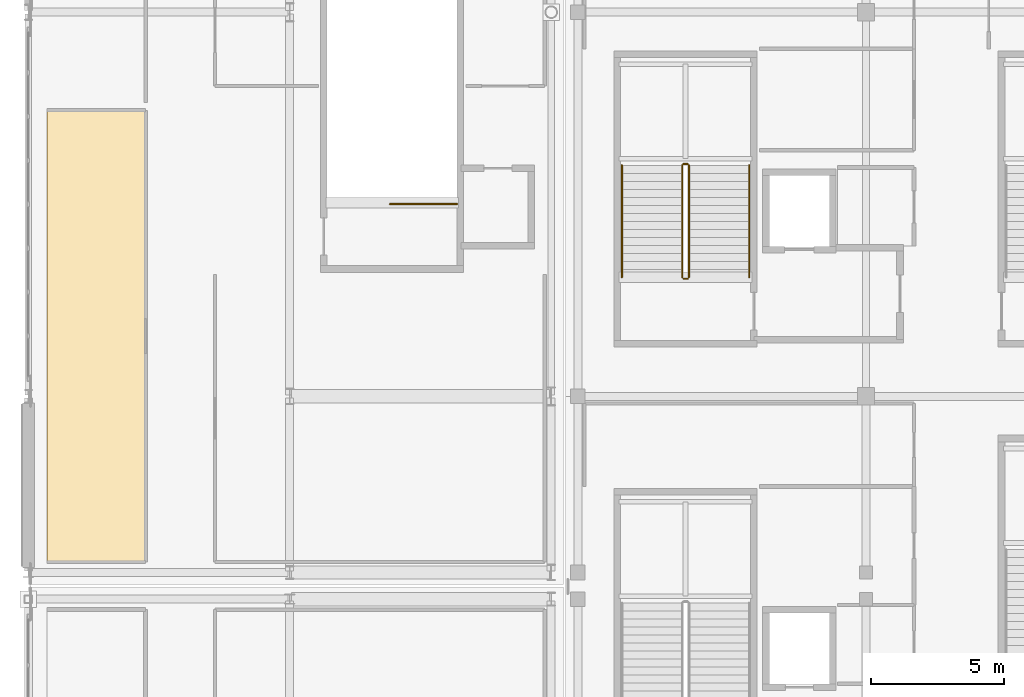
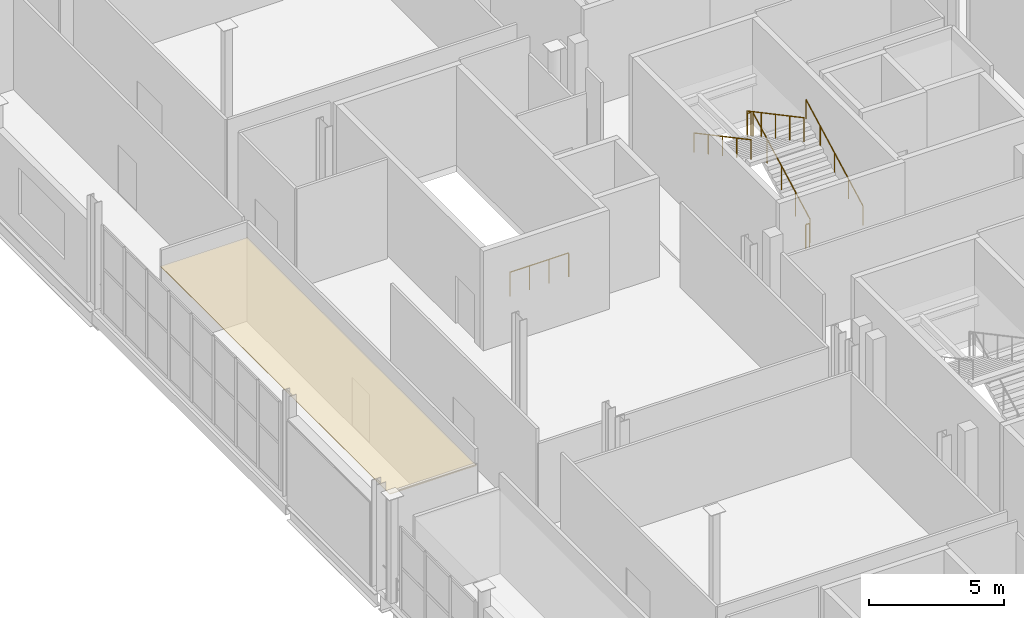
# One storey, part 120 of 142: 7 railings, 1 covering.
"""IFC4 building model written with IfcOpenShell, lengths in metres."""

from ifc_helpers import new_model, si_unit, direction, frame, origin, origin_2d, place, context, subcontext, project, spatial, polyline, circle, outline, extrude, material, layer, layer_set, type_object, element, save


model = new_model("IFC4")

# Units and contexts
model_context = context("Model", 3, precision=1e-05, world=origin(), true_north=direction((0.0, 1.0)))
body_context = subcontext(model_context, "Body", "Model", "MODEL_VIEW")
ifc_project = project(units=[si_unit("LENGTHUNIT", "METRE"), si_unit("AREAUNIT", "SQUARE_METRE"), si_unit("VOLUMEUNIT", "CUBIC_METRE"), si_unit("PLANEANGLEUNIT", "RADIAN"), si_unit("MASSUNIT", "GRAM", prefix="KILO")], contexts=[model_context])

# Site, building, storey
site_placement = place(None, origin())
site = spatial("IfcSite", under=ifc_project, at=site_placement, CompositionType="ELEMENT")
building_placement = place(site_placement, origin())
building = spatial("IfcBuilding", under=site, at=building_placement, Name="Koshinbarg Plaza Stadium", CompositionType="ELEMENT")
storey_placement = place(building_placement, frame((0.0, 0.0, 10.199951171875)))
storey = spatial("IfcBuildingStorey", under=building, at=storey_placement, Name="L02", CompositionType="ELEMENT", Elevation=10.199951171875)

# Covering
ifc_material_1 = material(Name="Perforated gypsum acoustic ceiling board")
ifc_layer = layer(ifc_material_1, 0.030029296875)
ifc_layer_set = layer_set([ifc_layer], Name="Perforated gypsum acoustic ceiling board")
covering_type = type_object("IfcCoveringType", Name="COV-CEIL-01", PredefinedType="CEILING", material=ifc_layer_set)
covering_placement = place(storey_placement, frame((0.0, 0.0, 3.699951171875)))
element("IfcCovering", 1, at=covering_placement, inside=storey, type_object=covering_type, Name="L02 Northwest Terrace Lounge acoustic ceiling 027", PredefinedType="CEILING", context=body_context, shape_type="SweptSolid", body=[
    extrude(outline(polyline([(4.699951171875, 76.89501953125), (8.39990234375, 76.89501953125), (8.39990234375, 93.822509765625), (4.699951171875, 93.822509765625), (4.699951171875, 76.89501953125)])), origin(), (0.0, 0.0, 1.0), 0.030029296875),
])

# Railings
ifc_material_2 = material(Name="Galvanized painted steel guardrail", Category="steel")
railing_type_1 = type_object("IfcRailingType", Name="RL-GUARD-1100", PredefinedType="GUARDRAIL", material=ifc_material_2)
railing_1_placement = place(storey_placement, frame((28.760009765625, 87.56005859375, 0.16015625)))
element("IfcRailing", 2, at=railing_1_placement, inside=storey, type_object=railing_type_1, Name="L02 C05 stair guard 1", PredefinedType="GUARDRAIL", context=body_context, shape_type="SweptSolid", body=[
    extrude(circle(Radius=0.02392578125, at=origin_2d()), frame((0.0, 0.0, 1.076171875), z_axis=(0.0, 0.882351521365, 0.470590897432), x_axis=(-1.0, 0.0, 0.0)), (0.0, 0.0, 1.0), 4.760009765625),
    extrude(circle(Radius=0.02099609375, at=origin_2d()), origin(), (0.0, 0.0, 1.0), 1.052001953125),
    extrude(circle(Radius=0.02099609375, at=origin_2d()), frame((0.0, 1.050048828125, 0.56005859375)), (0.0, 0.0, 1.0), 1.052001953125),
    extrude(circle(Radius=0.02099609375, at=origin_2d()), frame((0.0, 2.10009765625, 1.1201171875)), (0.0, 0.0, 1.0), 1.052001953125),
    extrude(circle(Radius=0.02099609375, at=origin_2d()), frame((0.0, 3.14990234375, 1.679931640625)), (0.0, 0.0, 1.0), 1.052001953125),
    extrude(circle(Radius=0.02099609375, at=origin_2d()), frame((0.0, 4.199951171875, 2.239990234375)), (0.0, 0.0, 1.0), 1.052001953125),
])
railing_2_placement = place(storey_placement, frame((28.7099609375, 91.81005859375, 2.400146484375)))
element("IfcRailing", 3, at=railing_2_placement, inside=storey, type_object=railing_type_1, Name="L02 C05 stair guard 2", PredefinedType="GUARDRAIL", context=body_context, shape_type="SweptSolid", body=[
    extrude(circle(Radius=0.02392578125, at=origin_2d()), frame((0.0, 0.0, 1.076171875), z_axis=(-1.0, 0.0, 0.0), x_axis=(0.0, -1.0, 0.0)), (0.0, 0.0, 1.0), 0.14990234375),
    extrude(circle(Radius=0.02099609375, at=origin_2d()), origin(), (0.0, 0.0, 1.0), 1.052001953125),
    extrude(circle(Radius=0.02099609375, at=origin_2d()), frame((-0.14990234375, 0.0, 0.0)), (0.0, 0.0, 1.0), 1.052001953125),
])
railing_3_placement = place(storey_placement, frame((28.510009765625, 91.760009765625, 2.56005859375)))
element("IfcRailing", 4, at=railing_3_placement, inside=storey, type_object=railing_type_1, Name="L02 C05 stair guard 3", PredefinedType="GUARDRAIL", context=body_context, shape_type="SweptSolid", body=[
    extrude(circle(Radius=0.02392578125, at=origin_2d()), frame((0.0, 0.0, 1.076171875), z_axis=(0.0, -0.882351521365, 0.470590897432), x_axis=(1.0, 0.0, 0.0)), (0.0, 0.0, 1.0), 4.760009765625),
    extrude(circle(Radius=0.02099609375, at=origin_2d()), origin(), (0.0, 0.0, 1.0), 1.052001953125),
    extrude(circle(Radius=0.02099609375, at=origin_2d()), frame((0.0, -1.050048828125, 0.56005859375)), (0.0, 0.0, 1.0), 1.052001953125),
    extrude(circle(Radius=0.02099609375, at=origin_2d()), frame((0.0, -2.10009765625, 1.1201171875)), (0.0, 0.0, 1.0), 1.052001953125),
    extrude(circle(Radius=0.02099609375, at=origin_2d()), frame((0.0, -3.14990234375, 1.679931640625)), (0.0, 0.0, 1.0), 1.052001953125),
    extrude(circle(Radius=0.02099609375, at=origin_2d()), frame((0.0, -4.199951171875, 2.239990234375)), (0.0, 0.0, 1.0), 1.052001953125),
])
railing_4_placement = place(storey_placement, frame((28.7099609375, 87.510009765625, 0.0)))
element("IfcRailing", 5, at=railing_4_placement, inside=storey, type_object=railing_type_1, Name="L02 C05 stair guard 4", PredefinedType="GUARDRAIL", context=body_context, shape_type="SweptSolid", body=[
    extrude(circle(Radius=0.02392578125, at=origin_2d()), frame((0.0, 0.0, 1.076171875), z_axis=(-1.0, 0.0, 0.0), x_axis=(0.0, -1.0, 0.0)), (0.0, 0.0, 1.0), 0.14990234375),
    extrude(circle(Radius=0.02099609375, at=origin_2d()), origin(), (0.0, 0.0, 1.0), 1.052001953125),
    extrude(circle(Radius=0.02099609375, at=origin_2d()), frame((-0.14990234375, 0.0, 0.0)), (0.0, 0.0, 1.0), 1.052001953125),
])
railing_5_placement = place(storey_placement, frame((20.070068359375, 90.31005859375, 0.0)))
element("IfcRailing", 6, at=railing_5_placement, inside=storey, type_object=railing_type_1, Name="L02 C15 top stairwell guard 1", PredefinedType="GUARDRAIL", context=body_context, shape_type="SweptSolid", body=[
    extrude(circle(Radius=0.02392578125, at=origin_2d()), frame((0.0, 0.0, 1.076171875), z_axis=(-1.0, 0.0, 0.0), x_axis=(0.0, -1.0, 0.0)), (0.0, 0.0, 1.0), 2.510009765625),
    extrude(circle(Radius=0.02099609375, at=origin_2d()), origin(), (0.0, 0.0, 1.0), 1.052001953125),
    extrude(circle(Radius=0.02099609375, at=origin_2d()), frame((-0.836669921875, 0.0, 0.0)), (0.0, 0.0, 1.0), 1.052001953125),
    extrude(circle(Radius=0.02099609375, at=origin_2d()), frame((-1.67333984375, 0.0, 0.0)), (0.0, 0.0, 1.0), 1.052001953125),
    extrude(circle(Radius=0.02099609375, at=origin_2d()), frame((-2.510009765625, 0.0, 0.0)), (0.0, 0.0, 1.0), 1.052001953125),
])
ifc_material_3 = material(Name="Brushed stainless steel handrail", Category="steel")
railing_type_2 = type_object("IfcRailingType", Name="RL-HAND-900", PredefinedType="HANDRAIL", material=ifc_material_3)
railing_6_placement = place(storey_placement, frame((31.02001953125, 87.56005859375, 0.16015625)))
element("IfcRailing", 7, at=railing_6_placement, inside=storey, type_object=railing_type_2, Name="L02 C05 stair handrail 1", PredefinedType="HANDRAIL", context=body_context, shape_type="SweptSolid", body=[
    extrude(circle(Radius=0.02392578125, at=origin_2d()), frame((0.0, 0.0, 0.8759765625), z_axis=(0.0, 0.882351521365, 0.470590897432), x_axis=(-1.0, 0.0, 0.0)), (0.0, 0.0, 1.0), 4.760009765625),
    extrude(circle(Radius=0.02099609375, at=origin_2d()), origin(), (0.0, 0.0, 1.0), 0.851806640625),
    extrude(circle(Radius=0.02099609375, at=origin_2d()), frame((0.0, 1.050048828125, 0.56005859375)), (0.0, 0.0, 1.0), 0.851806640625),
    extrude(circle(Radius=0.02099609375, at=origin_2d()), frame((0.0, 2.10009765625, 1.1201171875)), (0.0, 0.0, 1.0), 0.851806640625),
    extrude(circle(Radius=0.02099609375, at=origin_2d()), frame((0.0, 3.14990234375, 1.679931640625)), (0.0, 0.0, 1.0), 0.851806640625),
    extrude(circle(Radius=0.02099609375, at=origin_2d()), frame((0.0, 4.199951171875, 2.239990234375)), (0.0, 0.0, 1.0), 0.851806640625),
])
railing_7_placement = place(storey_placement, frame((26.25, 91.760009765625, 2.56005859375)))
element("IfcRailing", 8, at=railing_7_placement, inside=storey, type_object=railing_type_2, Name="L02 C05 stair handrail 2", PredefinedType="HANDRAIL", context=body_context, shape_type="SweptSolid", body=[
    extrude(circle(Radius=0.02392578125, at=origin_2d()), frame((0.0, 0.0, 0.8759765625), z_axis=(0.0, -0.882351521365, 0.470590897432), x_axis=(1.0, 0.0, 0.0)), (0.0, 0.0, 1.0), 4.760009765625),
    extrude(circle(Radius=0.02099609375, at=origin_2d()), origin(), (0.0, 0.0, 1.0), 0.851806640625),
    extrude(circle(Radius=0.02099609375, at=origin_2d()), frame((0.0, -1.050048828125, 0.56005859375)), (0.0, 0.0, 1.0), 0.851806640625),
    extrude(circle(Radius=0.02099609375, at=origin_2d()), frame((0.0, -2.10009765625, 1.1201171875)), (0.0, 0.0, 1.0), 0.851806640625),
    extrude(circle(Radius=0.02099609375, at=origin_2d()), frame((0.0, -3.14990234375, 1.679931640625)), (0.0, 0.0, 1.0), 0.851806640625),
    extrude(circle(Radius=0.02099609375, at=origin_2d()), frame((0.0, -4.199951171875, 2.239990234375)), (0.0, 0.0, 1.0), 0.851806640625),
])

save(model, "model.ifc")
